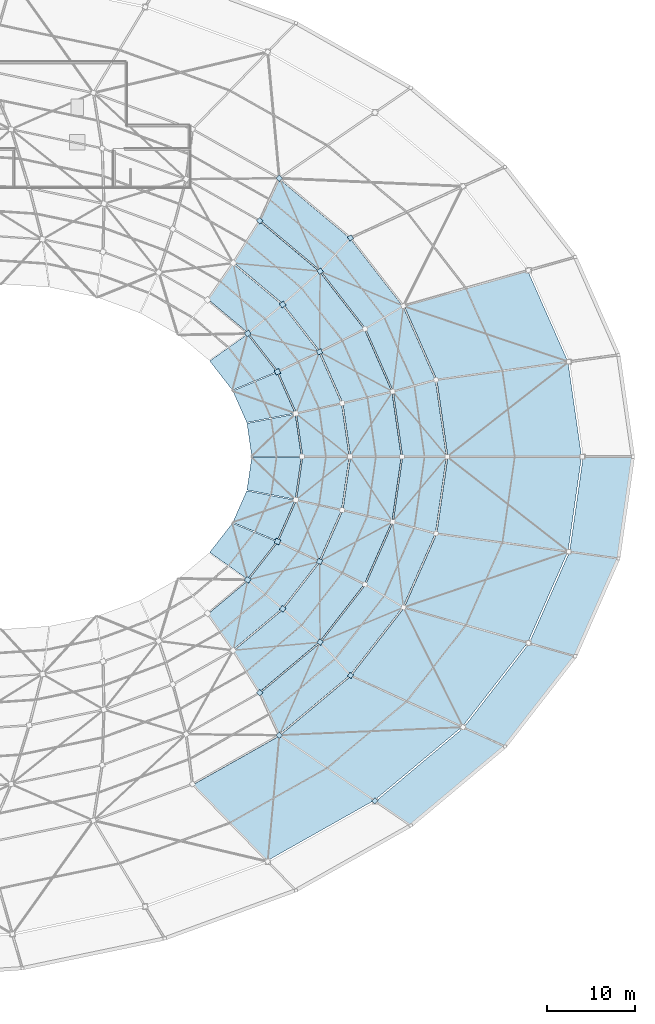
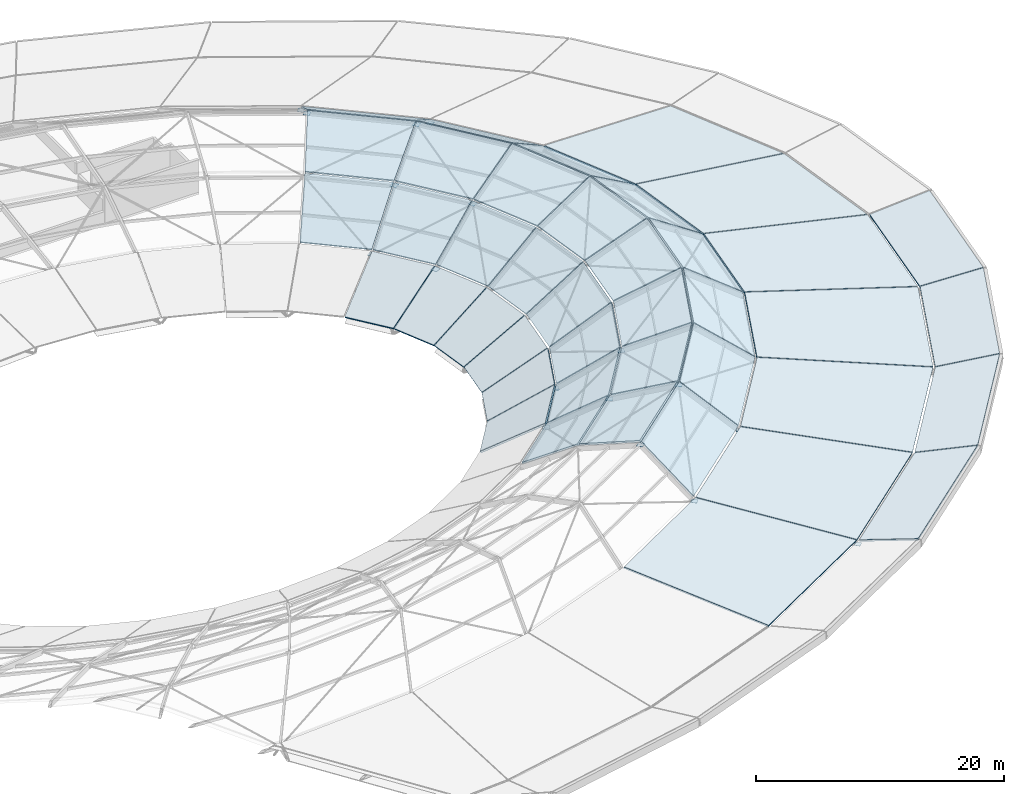
# One storey, part 16 of 30: 41 slabs, 17 plates.
"""IFC4 building model written with IfcOpenShell, lengths in metres."""

from ifc_helpers import new_model, si_unit, direction, frame, origin, origin_2d, place, context, subcontext, project, spatial, polyline, rectangle, outline, extrude, material, layer, layer_set, type_object, element, save


model = new_model("IFC4")

# Units and contexts
model_context = context("Model", 3, precision=1e-05, world=origin(), true_north=direction((0.0, 1.0)))
body_context = subcontext(model_context, "Body", "Model", "MODEL_VIEW")
ifc_project = project(units=[si_unit("LENGTHUNIT", "METRE"), si_unit("AREAUNIT", "SQUARE_METRE"), si_unit("VOLUMEUNIT", "CUBIC_METRE"), si_unit("PLANEANGLEUNIT", "RADIAN"), si_unit("MASSUNIT", "GRAM", prefix="KILO")], contexts=[model_context])

# Site, building, storey
site_placement = place(None, origin())
site = spatial("IfcSite", under=ifc_project, at=site_placement, CompositionType="ELEMENT")
building_placement = place(site_placement, origin())
building = spatial("IfcBuilding", under=site, at=building_placement, Name="Namkhue Oval Health Centre", CompositionType="ELEMENT")
storey_placement = place(building_placement, frame((0.0, 0.0, 26.39990234375)))
storey = spatial("IfcBuildingStorey", under=building, at=storey_placement, Name="RF", CompositionType="ELEMENT", Elevation=26.39990234375)

# Plates
ifc_material_1 = material(Name="Structural steel EN 10025-2 S355JR (TCVN 5575:2024)", Category="steel")
ifc_layer_1 = layer(ifc_material_1, 0.02001953125)
ifc_layer_set_1 = layer_set([ifc_layer_1], Name="Structural steel EN 10025-2 S355JR (TCVN 5575:2024)")
plate_type_1 = type_object("IfcPlateType", Name="GRIDSHELL GUSSET PLATE 500X500X20", PredefinedType="USERDEFINED", material=ifc_layer_set_1)
plate_placement = place(storey_placement, frame((143.421142578125, 20.197998046875, 0.31005859375), z_axis=(0.0, 0.0, 1.0), x_axis=(0.707106781187, -0.707106781187, 0.0)))
element("IfcPlate", 1, at=plate_placement, inside=storey, type_object=plate_type_1, Name="Gridshell Node Gusset Plate K1-29", ObjectType="GUSSET_PLATE", PredefinedType="USERDEFINED", context=body_context, shape_type="SweptSolid", body=[
    extrude(rectangle(XDim=0.5, YDim=0.5, at=origin_2d()), origin(), (0.0, 0.0, 1.0), 0.02001953125),
])
ifc_layer_2 = layer(ifc_material_1, 0.02197265625)
ifc_layer_set_2 = layer_set([ifc_layer_2], Name="Structural steel EN 10025-2 S355JR (TCVN 5575:2024)")
plate_type_2 = type_object("IfcPlateType", Name="GRIDSHELL GUSSET PLATE 520X520X22", PredefinedType="USERDEFINED", material=ifc_layer_set_2)
for number, where, z_axis, x_axis, name in (
    (2, (140.638427734375, 84.315673828125, 3.80908203125), (0.0, 0.0, 1.0), (0.831469612303, 0.55557023302, 0.0), "Gridshell Node Gusset Plate K2-4"),
    (3, (132.52587890625, 91.111572265625, 3.80908203125), (0.0, 0.0, 1.0), (0.707106781187, 0.707106781187, 0.0), "Gridshell Node Gusset Plate K2-5"),
    (4, (132.52587890625, 27.6884765625, 3.80908203125), (0.0, 0.0, 1.0), (0.707106781187, -0.707106781187, 0.0), "Gridshell Node Gusset Plate K2-29"),
    (5, (140.638427734375, 34.484375, 3.80908203125), (0.0, 0.0, 1.0), (0.831469612303, -0.55557023302, 0.0), "Gridshell Node Gusset Plate K2-30"),
):
    element("IfcPlate", number, at=place(storey_placement, frame(where, z_axis=z_axis, x_axis=x_axis)), inside=storey, type_object=plate_type_2, Name=name, ObjectType="GUSSET_PLATE", PredefinedType="USERDEFINED", context=body_context, shape_type="SweptSolid", body=[
        extrude(rectangle(XDim=0.52001953125, YDim=0.52001953125, at=origin_2d()), origin(), (0.0, 0.0, 1.0), 0.02197265625),
    ])
ifc_layer_3 = layer(ifc_material_1, 0.02197265625)
ifc_layer_set_3 = layer_set([ifc_layer_3], Name="Structural steel EN 10025-2 S355JR (TCVN 5575:2024)")
plate_type_3 = type_object("IfcPlateType", Name="GRIDSHELL GUSSET PLATE 540X540X22", PredefinedType="USERDEFINED", material=ifc_layer_set_3)
for number, where, z_axis, x_axis, name in (
    (6, (137.177001953125, 80.5205078125, 7.209228515625), (0.0, 0.0, 1.0), (0.831469612303, 0.55557023302, 0.0), "Gridshell Node Gusset Plate K3-4"),
    (7, (130.30029296875, 86.28125, 7.209228515625), (0.0, 0.0, 1.0), (0.707106781187, 0.707106781187, 0.0), "Gridshell Node Gusset Plate K3-5"),
    (8, (130.30029296875, 32.5185546875, 7.209228515625), (0.0, 0.0, 1.0), (0.707106781187, -0.707106781187, 0.0), "Gridshell Node Gusset Plate K3-29"),
    (9, (137.177001953125, 38.279541015625, 7.209228515625), (0.0, 0.0, 1.0), (0.831469612303, -0.55557023302, 0.0), "Gridshell Node Gusset Plate K3-30"),
):
    element("IfcPlate", number, at=place(storey_placement, frame(where, z_axis=z_axis, x_axis=x_axis)), inside=storey, type_object=plate_type_3, Name=name, ObjectType="GUSSET_PLATE", PredefinedType="USERDEFINED", context=body_context, shape_type="SweptSolid", body=[
        extrude(rectangle(XDim=0.5400390625, YDim=0.5400390625, at=origin_2d()), origin(), (0.0, 0.0, 1.0), 0.02197265625),
    ])
ifc_layer_4 = layer(ifc_material_1, 0.02392578125)
ifc_layer_set_4 = layer_set([ifc_layer_4], Name="Structural steel EN 10025-2 S355JR (TCVN 5575:2024)")
plate_type_4 = type_object("IfcPlateType", Name="GRIDSHELL GUSSET PLATE 560X560X24", PredefinedType="USERDEFINED", material=ifc_layer_set_4)
for number, where, z_axis, x_axis, name in (
    (10, (137.107177734375, 71.333984375, 5.008056640625), (0.0, 0.0, 1.0), (0.923879532511, 0.382683432365, 0.0), "Gridshell Node Gusset Plate K4-3"),
    (11, (132.91552734375, 76.725341796875, 5.008056640625), (0.0, 0.0, 1.0), (0.831469612303, 0.55557023302, 0.0), "Gridshell Node Gusset Plate K4-4"),
    (12, (132.91552734375, 42.074462890625, 5.008056640625), (0.0, 0.0, 1.0), (0.831469612303, -0.55557023302, 0.0), "Gridshell Node Gusset Plate K4-30"),
    (13, (137.107177734375, 47.466064453125, 5.008056640625), (0.0, 0.0, 1.0), (0.923879532511, -0.382683432365, 0.0), "Gridshell Node Gusset Plate K4-31"),
):
    element("IfcPlate", number, at=place(storey_placement, frame(where, z_axis=z_axis, x_axis=x_axis)), inside=storey, type_object=plate_type_4, Name=name, ObjectType="GUSSET_PLATE", PredefinedType="USERDEFINED", context=body_context, shape_type="SweptSolid", body=[
        extrude(rectangle(XDim=0.56005859375, YDim=0.56005859375, at=origin_2d()), origin(), (0.0, 0.0, 1.0), 0.02392578125),
    ])
ifc_layer_5 = layer(ifc_material_1, 0.02392578125)
ifc_layer_set_5 = layer_set([ifc_layer_5], Name="Structural steel EN 10025-2 S355JR (TCVN 5575:2024)")
plate_type_5 = type_object("IfcPlateType", Name="GRIDSHELL GUSSET PLATE 580X580X24", PredefinedType="USERDEFINED", material=ifc_layer_set_5)
for number, where, z_axis, x_axis, name in (
    (14, (132.324951171875, 69.060791015625, 1.608154296875), (0.0, 0.0, 1.0), (0.923879532511, 0.382683432365, 0.0), "Gridshell Node Gusset Plate K5-3"),
    (15, (128.931640625, 73.42529296875, 1.608154296875), (0.0, 0.0, 1.0), (0.831469612303, 0.55557023302, 0.0), "Gridshell Node Gusset Plate K5-4"),
    (16, (128.931640625, 45.37451171875, 1.608154296875), (0.0, 0.0, 1.0), (0.831469612303, -0.55557023302, 0.0), "Gridshell Node Gusset Plate K5-30"),
    (17, (132.324951171875, 49.7392578125, 1.608154296875), (0.0, 0.0, 1.0), (0.923879532511, -0.382683432365, 0.0), "Gridshell Node Gusset Plate K5-31"),
):
    element("IfcPlate", number, at=place(storey_placement, frame(where, z_axis=z_axis, x_axis=x_axis)), inside=storey, type_object=plate_type_5, Name=name, ObjectType="GUSSET_PLATE", PredefinedType="USERDEFINED", context=body_context, shape_type="SweptSolid", body=[
        extrude(rectangle(XDim=0.580078125, YDim=0.580078125, at=origin_2d()), origin(), (0.0, 0.0, 1.0), 0.02392578125),
    ])

# Slabs
ifc_material_2 = material(Name="Reinforced concrete C30/37 (TCVN B35)", Category="concrete")
ifc_layer_6 = layer(ifc_material_2, 0.159912109375)
ifc_layer_set_6 = layer_set([ifc_layer_6], Name="Reinforced concrete C30/37 (TCVN B35)")
slab_type_1 = type_object("IfcSlabType", Name="GRIDSHELL ROOF PANEL 160", PredefinedType="ROOF", material=ifc_layer_set_6)
slab_1_placement = place(storey_placement, frame((147.45068359375, 17.478515625, 1.094482421875), z_axis=(-0.053727584536, 0.064136801334, 0.996493761834), x_axis=(0.766569996232, 0.642160759371, -1.83417e-07)))
element("IfcSlab", 18, at=slab_1_placement, inside=storey, type_object=slab_type_1, Name="Gridshell Planar Roof Panel K0-29", PredefinedType="ROOF", context=body_context, shape_type="SweptSolid", body=[
    extrude(outline(polyline([(0.0, 0.0), (13.909490126418305, 0.0), (11.736030655093856, 4.598743111885195), (-1.2740097579375822, 4.598802125405321), (0.0, 0.0)])), origin(), (0.0, 0.0, -1.0), 0.159912109375),
])
slab_2_placement = place(storey_placement, frame((158.181640625, 26.4716796875, 1.09521484375), z_axis=(-0.061389289614, 0.047728135285, 0.996972106041), x_axis=(0.613788661898, 0.789470378497, 1.01205e-07)))
element("IfcSlab", 19, at=slab_2_placement, inside=storey, type_object=slab_type_1, Name="Gridshell Planar Roof Panel K0-30", PredefinedType="ROOF", context=body_context, shape_type="SweptSolid", body=[
    extrude(outline(polyline([(0.0, 0.0), (12.904530024973468, 8.881784197001252e-16), (10.906942843347332, 4.966968917886898), (-1.1607419206768137, 4.96693641644914), (0.0, 0.0)])), origin(), (0.0, 0.0, -1.0), 0.159912109375),
])
slab_3_placement = place(storey_placement, frame((166.153076171875, 36.732177734375, 1.095458984375), z_axis=(-0.06656783223, 0.029372497415, 0.997349477419), x_axis=(0.403689962772, 0.914895848694, -1.0263e-08)))
element("IfcSlab", 20, at=slab_3_placement, inside=storey, type_object=slab_type_1, Name="Gridshell Planar Roof Panel K0-31", PredefinedType="ROOF", context=body_context, shape_type="SweptSolid", body=[
    extrude(outline(polyline([(0.0, 0.0), (12.08033253826632, -8.881784197001252e-16), (10.557918614069292, 5.314988426675023), (-0.7368068343055807, 5.31499172370869), (0.0, 0.0)])), origin(), (0.0, 0.0, -1.0), 0.159912109375),
])
slab_4_placement = place(storey_placement, frame((171.056884765625, 47.865478515625, 1.095703125), z_axis=(-0.069239238539, 0.00991966386, 0.997550764681), x_axis=(0.141818789155, 0.989892636119, 2.282e-08)))
element("IfcSlab", 21, at=slab_4_placement, inside=storey, type_object=slab_type_1, Name="Gridshell Planar Roof Panel K0-32", PredefinedType="ROOF", context=body_context, shape_type="SweptSolid", body=[
    extrude(outline(polyline([(0.0, 0.0), (11.609775872580734, -2.220446049250313e-16), (10.818623683033444, 5.535786632427481), (-0.03546627999952545, 5.535779303660593), (0.0, 0.0)])), origin(), (0.0, 0.0, -1.0), 0.159912109375),
])
ifc_layer_7 = layer(ifc_material_2, 0.1650390625)
ifc_layer_set_7 = layer_set([ifc_layer_7], Name="Reinforced concrete C30/37 (TCVN B35)")
slab_type_2 = type_object("IfcSlabType", Name="GRIDSHELL ROOF PANEL 165", PredefinedType="ROOF", material=ifc_layer_set_7)
slab_5_placement = place(storey_placement, frame((166.9453125, 59.44189453125, 0.727294921875), z_axis=(0.221398563448, 0.031715542749, 0.974667533291), x_axis=(-0.141797236863, 0.989895723607, -1.41135e-06)))
element("IfcSlab", 22, at=slab_5_placement, inside=storey, type_object=slab_type_2, Name="Gridshell Planar Roof Panel K1-1", PredefinedType="ROOF", context=body_context, shape_type="SweptSolid", body=[
    extrude(outline(polyline([(0.0, 0.0), (10.829886655075333, 0.0), (10.925997497913544, 15.468804567254889), (2.159668120471067, 15.46868090951535), (0.0, 0.0)])), origin(), (0.0, 0.0, -1.0), 0.1650390625),
])
slab_6_placement = place(storey_placement, frame((165.382568359375, 70.243408203125, 0.72802734375), z_axis=(0.212457384009, 0.093742156663, 0.972663491679), x_axis=(-0.403676652031, 0.914901721829, -7.96846e-07)))
element("IfcSlab", 23, at=slab_6_placement, inside=storey, type_object=slab_type_2, Name="Gridshell Planar Roof Panel K1-2", PredefinedType="ROOF", context=body_context, shape_type="SweptSolid", body=[
    extrude(outline(polyline([(0.0, 0.0), (11.268499338380739, -8.881784197001252e-16), (13.281762684202889, 14.892236881618764), (4.159231218954293, 14.892166911027449), (0.0, 0.0)])), origin(), (0.0, 0.0, -1.0), 0.1650390625),
])
slab_7_placement = place(storey_placement, frame((131.1767578125, 13.388671875, 0.732421875), z_axis=(0.138902518035, -0.246184750293, 0.95921799358), x_axis=(0.870933695301, 0.491400547811, 4.56453e-07)))
element("IfcSlab", 24, at=slab_7_placement, inside=storey, type_object=slab_type_2, Name="Gridshell Planar Roof Panel K1-28", PredefinedType="ROOF", context=body_context, shape_type="SweptSolid", body=[
    extrude(outline(polyline([(0.0, 0.0), (13.921561245105195, 0.0), (8.197705912905501, 12.202381320271192), (-3.0818098752973944, 12.20242201510761), (0.0, 0.0)])), origin(), (0.0, 0.0, -1.0), 0.1650390625),
])
slab_8_placement = place(storey_placement, frame((143.380126953125, 20.27685546875, 0.73095703125), z_axis=(0.170139926356, -0.203098753387, 0.964263087457), x_axis=(0.766566887525, 0.642164470326, -8.61173e-07)))
element("IfcSlab", 25, at=slab_8_placement, inside=storey, type_object=slab_type_2, Name="Gridshell Planar Roof Panel K1-29", PredefinedType="ROOF", context=body_context, shape_type="SweptSolid", body=[
    extrude(outline(polyline([(0.0, 0.0), (12.976062069125721, 8.881784197001252e-16), (7.016702637466144, 13.030545350406904), (-3.493391129744873, 13.030469011837035), (0.0, 0.0)])), origin(), (0.0, 0.0, -1.0), 0.1650390625),
])
slab_9_placement = place(storey_placement, frame((153.394775390625, 28.670654296875, 0.729248046875), z_axis=(0.195063290882, -0.151654668639, 0.968994929827), x_axis=(0.613791429974, 0.789468226395, -1.686253e-06)))
element("IfcSlab", 26, at=slab_9_placement, inside=storey, type_object=slab_type_2, Name="Gridshell Planar Roof Panel K1-30", PredefinedType="ROOF", context=body_context, shape_type="SweptSolid", body=[
    extrude(outline(polyline([(0.0, 0.0), (12.03775000424654, 8.881784197001252e-16), (6.57119745991333, 13.985628171747823), (-3.17645897249557, 13.985479492677714), (0.0, 0.0)])), origin(), (0.0, 0.0, -1.0), 0.1650390625),
])
slab_10_placement = place(storey_placement, frame((160.833740234375, 38.2470703125, 0.72802734375), z_axis=(0.212457384009, -0.093742156663, 0.972663491679), x_axis=(0.403676652031, 0.914901721829, 7.96846e-07)))
element("IfcSlab", 27, at=slab_10_placement, inside=storey, type_object=slab_type_2, Name="Gridshell Planar Roof Panel K1-31", PredefinedType="ROOF", context=body_context, shape_type="SweptSolid", body=[
    extrude(outline(polyline([(0.0, 0.0), (11.268499338380739, 8.881784197001252e-16), (7.109268119426446, 14.892166911027449), (-2.013263345822149, 14.892236881618764), (0.0, 0.0)])), origin(), (0.0, 0.0, -1.0), 0.1650390625),
])
slab_11_placement = place(storey_placement, frame((165.40966796875, 48.6376953125, 0.727294921875), z_axis=(0.221398506983, -0.031716333008, 0.974667520402), x_axis=(0.141800417871, 0.98989526794, 1.484768e-06)))
element("IfcSlab", 28, at=slab_11_placement, inside=storey, type_object=slab_type_2, Name="Gridshell Planar Roof Panel K1-32", PredefinedType="ROOF", context=body_context, shape_type="SweptSolid", body=[
    extrude(outline(polyline([(0.0, 0.0), (10.829644981357593, 0.0), (8.669928665862736, 15.468674180664049), (-0.09615903828272222, 15.46880426773081), (0.0, 0.0)])), origin(), (0.0, 0.0, -1.0), 0.1650390625),
])
ifc_layer_8 = layer(ifc_material_2, 0.169921875)
ifc_layer_set_8 = layer_set([ifc_layer_8], Name="Reinforced concrete C30/37 (TCVN B35)")
slab_type_3 = type_object("IfcSlabType", Name="GRIDSHELL ROOF PANEL 170", PredefinedType="ROOF", material=ifc_layer_set_8)
slab_12_placement = place(storey_placement, frame((151.550537109375, 59.44189453125, 4.26220703125), z_axis=(0.550264002747, 0.078840664151, 0.831260294346), x_axis=(-0.141828690048, 0.989891217599, -5.51382e-07)))
element("IfcSlab", 29, at=slab_12_placement, inside=storey, type_object=slab_type_3, Name="Gridshell Planar Roof Panel K2-1", PredefinedType="ROOF", context=body_context, shape_type="SweptSolid", body=[
    extrude(outline(polyline([(0.0, 0.0), (8.734288660484037, 0.0), (8.134620470626112, 5.936153769276453), (0.7069948097964079, 5.936137738234251), (0.0, 0.0)])), origin(), (0.0, 0.0, -1.0), 0.169921875),
])
slab_13_placement = place(storey_placement, frame((150.28857421875, 68.168212890625, 4.26220703125), z_axis=(0.51011940583, 0.225089570779, 0.830128229204), x_axis=(-0.403686585873, 0.91489733869, -6.610961e-06)))
element("IfcSlab", 30, at=slab_13_placement, inside=storey, type_object=slab_type_3, Name="Gridshell Planar Roof Panel K2-2", PredefinedType="ROOF", context=body_context, shape_type="SweptSolid", body=[
    extrude(outline(polyline([(0.0, 0.0), (9.090504348652102, -4.440892098500626e-16), (8.485153021168214, 5.918262865949426), (0.7541422513939048, 5.918063418571841), (0.0, 0.0)])), origin(), (0.0, 0.0, -1.0), 0.169921875),
])
slab_14_placement = place(storey_placement, frame((146.575927734375, 76.556884765625, 4.26220703125), z_axis=(0.44020018933, 0.342249191601, 0.830114018772), x_axis=(-0.613795166813, 0.789465321084, -1.348366e-06)))
element("IfcSlab", 31, at=slab_14_placement, inside=storey, type_object=slab_type_3, Name="Gridshell Planar Roof Panel K2-3", PredefinedType="ROOF", context=body_context, shape_type="SweptSolid", body=[
    extrude(outline(polyline([(0.0, 0.0), (9.714402707593724, 0.0), (8.868532502953732, 5.91795915807484), (0.6060077351450563, 5.9179156865099065), (0.0, 0.0)])), origin(), (0.0, 0.0, -1.0), 0.169921875),
])
slab_15_placement = place(storey_placement, frame((140.5556640625, 84.287109375, 4.26171875), z_axis=(0.354676554383, 0.423385789013, 0.833636020954), x_axis=(-0.766565026363, 0.64216669203, -1.930486e-06)))
element("IfcSlab", 32, at=slab_15_placement, inside=storey, type_object=slab_type_3, Name="Gridshell Planar Roof Panel K2-4", PredefinedType="ROOF", context=body_context, shape_type="SweptSolid", body=[
    extrude(outline(polyline([(0.0, 0.0), (10.474395781044441, 8.881784197001252e-16), (9.119410119256441, 5.976306250994497), (0.2101268408089863, 5.976238499851739), (0.0, 0.0)])), origin(), (0.0, 0.0, -1.0), 0.169921875),
])
slab_16_placement = place(storey_placement, frame((132.5263671875, 27.78662109375, 4.26171875), z_axis=(0.354685545192, -0.423388217383, 0.833630962365), x_axis=(0.766563134985, 0.642168949791, -2.514956e-06)))
element("IfcSlab", 33, at=slab_16_placement, inside=storey, type_object=slab_type_3, Name="Gridshell Planar Roof Panel K2-29", PredefinedType="ROOF", context=body_context, shape_type="SweptSolid", body=[
    extrude(outline(polyline([(0.0, 0.0), (10.47439578102486, -8.881784197001252e-16), (10.264268940254645, 5.976238499818781), (1.3548288825344568, 5.976150236962542), (0.0, 0.0)])), origin(), (0.0, 0.0, -1.0), 0.169921875),
])
slab_17_placement = place(storey_placement, frame((140.61328125, 34.57373046875, 4.26220703125), z_axis=(0.4402060185, -0.342241948844, 0.830113913706), x_axis=(0.613782683069, 0.789475026815, 7.71704e-07)))
element("IfcSlab", 34, at=slab_17_placement, inside=storey, type_object=slab_type_3, Name="Gridshell Planar Roof Panel K2-30", PredefinedType="ROOF", context=body_context, shape_type="SweptSolid", body=[
    extrude(outline(polyline([(0.0, 0.0), (9.71459544945074, -4.440892098500626e-16), (9.108663492525837, 5.917923445892169), (0.8459459835283992, 5.917948326308634), (0.0, 0.0)])), origin(), (0.0, 0.0, -1.0), 0.169921875),
])
slab_18_placement = place(storey_placement, frame((146.618896484375, 42.31494140625, 4.26220703125), z_axis=(0.51011940583, -0.225089570779, 0.830128229204), x_axis=(0.403686585873, 0.91489733869, 6.610961e-06)))
element("IfcSlab", 35, at=slab_18_placement, inside=storey, type_object=slab_type_3, Name="Gridshell Planar Roof Panel K2-31", PredefinedType="ROOF", context=body_context, shape_type="SweptSolid", body=[
    extrude(outline(polyline([(0.0, 0.0), (9.090504348652102, 4.440892098500626e-16), (8.336362097258197, 5.918063418571841), (0.6053513274838881, 5.918262865949427), (0.0, 0.0)])), origin(), (0.0, 0.0, -1.0), 0.169921875),
])
slab_19_placement = place(storey_placement, frame((150.311767578125, 50.712158203125, 4.26220703125), z_axis=(0.550264002747, -0.078840664151, 0.831260294346), x_axis=(0.141828690048, 0.989891217599, 5.51382e-07)))
element("IfcSlab", 36, at=slab_19_placement, inside=storey, type_object=slab_type_3, Name="Gridshell Planar Roof Panel K2-32", PredefinedType="ROOF", context=body_context, shape_type="SweptSolid", body=[
    extrude(outline(polyline([(0.0, 0.0), (8.734288660484037, 0.0), (8.027293850687629, 5.936137738234251), (0.5996681898579258, 5.936153769276451), (0.0, 0.0)])), origin(), (0.0, 0.0, -1.0), 0.169921875),
])
ifc_layer_9 = layer(ifc_material_2, 0.175048828125)
ifc_layer_set_9 = layer_set([ifc_layer_9], Name="Reinforced concrete C30/37 (TCVN B35)")
slab_type_4 = type_object("IfcSlabType", Name="GRIDSHELL ROOF PANEL 175", PredefinedType="ROOF", material=ifc_layer_set_9)
slab_20_placement = place(storey_placement, frame((146.40478515625, 59.44189453125, 7.58544921875), z_axis=(-0.347067640302, -0.049716365452, 0.936521401817), x_axis=(-0.141792423518, 0.989896413079, 2.658764e-06)))
element("IfcSlab", 37, at=slab_20_placement, inside=storey, type_object=slab_type_4, Name="Gridshell Planar Roof Panel K3-1", PredefinedType="ROOF", context=body_context, shape_type="SweptSolid", body=[
    extrude(outline(polyline([(0.0, 0.0), (7.38836868552503, 0.0), (6.898255251126283, 6.094334315939857), (0.8175162608143259, 6.0942321764181875), (0.0, 0.0)])), origin(), (0.0, 0.0, -1.0), 0.175048828125),
])
slab_21_placement = place(storey_placement, frame((145.332763671875, 66.836181640625, 7.585205078125), z_axis=(-0.324784716462, -0.143302647842, 0.934868567808), x_axis=(-0.40368231738, 0.914899222116, -2.530787e-06)))
element("IfcSlab", 38, at=slab_21_placement, inside=storey, type_object=slab_type_4, Name="Gridshell Planar Roof Panel K3-2", PredefinedType="ROOF", context=body_context, shape_type="SweptSolid", body=[
    extrude(outline(polyline([(0.0, 0.0), (7.689812389941663, 0.0), (7.397864608443703, 6.017599084296064), (1.067966273113936, 6.017699032191568), (0.0, 0.0)])), origin(), (0.0, 0.0, -1.0), 0.175048828125),
])
slab_22_placement = place(storey_placement, frame((142.184326171875, 73.943359375, 7.584716796875), z_axis=(-0.284555767481, -0.221233065633, 0.93278290393), x_axis=(-0.613800928862, 0.789460841138, -6.166827e-06)))
element("IfcSlab", 39, at=slab_22_placement, inside=storey, type_object=slab_type_4, Name="Gridshell Planar Roof Panel K3-3", PredefinedType="ROOF", context=body_context, shape_type="SweptSolid", body=[
    extrude(outline(polyline([(0.0, 0.0), (8.21832925912734, 0.0), (7.849197281729793, 5.923907507707206), (1.082703076209955, 5.924163886428232), (0.0, 0.0)])), origin(), (0.0, 0.0, -1.0), 0.175048828125),
])
slab_23_placement = place(storey_placement, frame((137.0810546875, 80.491455078125, 7.58447265625), z_axis=(-0.233169623898, -0.278343290035, 0.931749397308), x_axis=(-0.766570353229, 0.642160333211, 1.06168e-07)))
element("IfcSlab", 40, at=slab_23_placement, inside=storey, type_object=slab_type_4, Name="Gridshell Planar Roof Panel K3-4", PredefinedType="ROOF", context=body_context, shape_type="SweptSolid", body=[
    extrude(outline(polyline([(0.0, 0.0), (8.862144535183381, 0.0), (8.102978434741528, 5.87924742840516), (0.8049146162426926, 5.879242703297136), (0.0, 0.0)])), origin(), (0.0, 0.0, -1.0), 0.175048828125),
])
slab_24_placement = place(storey_placement, frame((130.28759765625, 32.61767578125, 7.58447265625), z_axis=(-0.233176295518, 0.278344705834, 0.931747304768), x_axis=(0.766569372708, 0.642161503683, 3.811919e-06)))
element("IfcSlab", 41, at=slab_24_placement, inside=storey, type_object=slab_type_4, Name="Gridshell Planar Roof Panel K3-29", PredefinedType="ROOF", context=body_context, shape_type="SweptSolid", body=[
    extrude(outline(polyline([(0.0, 0.0), (8.862144535109273, 0.0), (8.057229919008066, 5.879242703204799), (0.7590093228671388, 5.879073050900896), (0.0, 0.0)])), origin(), (0.0, 0.0, -1.0), 0.175048828125),
])
slab_25_placement = place(storey_placement, frame((137.139892578125, 38.36865234375, 7.584716796875), z_axis=(-0.284555767481, 0.221233065633, 0.93278290393), x_axis=(0.613800928862, 0.789460841138, 6.166827e-06)))
element("IfcSlab", 42, at=slab_25_placement, inside=storey, type_object=slab_type_4, Name="Gridshell Planar Roof Panel K3-30", PredefinedType="ROOF", context=body_context, shape_type="SweptSolid", body=[
    extrude(outline(polyline([(0.0, 0.0), (8.21832925912734, 0.0), (7.135626182917386, 5.924163886428232), (0.36913197739754827, 5.923907507707206), (0.0, 0.0)])), origin(), (0.0, 0.0, -1.0), 0.175048828125),
])
slab_26_placement = place(storey_placement, frame((142.228515625, 44.92822265625, 7.585205078125), z_axis=(-0.324783099907, 0.143299207045, 0.934869656837), x_axis=(0.403671259167, 0.914904101271, 6.10418e-07)))
element("IfcSlab", 43, at=slab_26_placement, inside=storey, type_object=slab_type_4, Name="Gridshell Planar Roof Panel K3-31", PredefinedType="ROOF", context=body_context, shape_type="SweptSolid", body=[
    extrude(outline(polyline([(0.0, 0.0), (7.690035754572932, -8.881784197001252e-16), (6.622141581267067, 6.017711827395505), (0.2922432451618904, 6.017687719704856), (0.0, 0.0)])), origin(), (0.0, 0.0, -1.0), 0.175048828125),
])
slab_27_placement = place(storey_placement, frame((145.357177734375, 52.044189453125, 7.58544921875), z_axis=(-0.347067850967, 0.049714574983, 0.936521418794), x_axis=(0.14178773028, 0.989897085325, -2.50932e-06)))
element("IfcSlab", 44, at=slab_27_placement, inside=storey, type_object=slab_type_4, Name="Gridshell Planar Roof Panel K3-32", PredefinedType="ROOF", context=body_context, shape_type="SweptSolid", body=[
    extrude(outline(polyline([(0.0, 0.0), (7.388610359572808, -1.1102230246251565e-16), (6.571120838890417, 6.094235763441476), (0.4901401750397438, 6.094332165371389), (0.0, 0.0)])), origin(), (0.0, 0.0, -1.0), 0.175048828125),
])
ifc_layer_10 = layer(ifc_material_2, 0.179931640625)
ifc_layer_set_10 = layer_set([ifc_layer_10], Name="Reinforced concrete C30/37 (TCVN B35)")
slab_type_5 = type_object("IfcSlabType", Name="GRIDSHELL ROOF PANEL 180", PredefinedType="ROOF", material=ifc_layer_set_10)
slab_28_placement = place(storey_placement, frame((140.47705078125, 59.44189453125, 5.3740234375), z_axis=(-0.528485358845, -0.075712120631, 0.845559519062), x_axis=(-0.141804277435, 0.989894715037, 6.556168e-06)))
element("IfcSlab", 45, at=slab_28_placement, inside=storey, type_object=slab_type_5, Name="Gridshell Planar Roof Panel K4-1", PredefinedType="ROOF", context=body_context, shape_type="SweptSolid", body=[
    extrude(outline(polyline([(0.0, 0.0), (6.044969307527049, -1.1102230246251565e-16), (5.657096319622997, 6.188628436141956), (0.7495745826178413, 6.188493937344819), (0.0, 0.0)])), origin(), (0.0, 0.0, -1.0), 0.179931640625),
])
slab_29_placement = place(storey_placement, frame((139.595703125, 65.50634765625, 5.37353515625), z_axis=(-0.494470241398, -0.218180292354, 0.841365877844), x_axis=(-0.403689015996, 0.91489626645, 1.54152e-07)))
element("IfcSlab", 46, at=slab_29_placement, inside=storey, type_object=slab_type_5, Name="Gridshell Planar Roof Panel K4-2", PredefinedType="ROOF", context=body_context, shape_type="SweptSolid", body=[
    extrude(outline(polyline([(0.0, 0.0), (6.292070212169687, 0.0), (6.147312076729383, 6.1109034332158085), (1.0381888529535068, 6.110900181357589), (0.0, 0.0)])), origin(), (0.0, 0.0, -1.0), 0.179931640625),
])
slab_30_placement = place(storey_placement, frame((137.011474609375, 71.334716796875, 5.37255859375), z_axis=(-0.43373691067, -0.337221313731, 0.835556148854), x_axis=(-0.613799733888, 0.789461770229, -5.104444e-06)))
element("IfcSlab", 47, at=slab_30_placement, inside=storey, type_object=slab_type_5, Name="Gridshell Planar Roof Panel K4-3", PredefinedType="ROOF", context=body_context, shape_type="SweptSolid", body=[
    extrude(outline(polyline([(0.0, 0.0), (6.725574775207651, 4.440892098500626e-16), (6.570204152330766, 6.008302584113263), (1.1077128303563089, 6.008415821705752), (0.0, 0.0)])), origin(), (0.0, 0.0, -1.0), 0.179931640625),
])
slab_31_placement = place(storey_placement, frame((132.82421875, 76.7041015625, 5.3720703125), z_axis=(-0.356797553516, -0.425905734697, 0.831444412428), x_axis=(-0.766552195228, 0.642182008433, 6.076428e-06)))
element("IfcSlab", 48, at=slab_31_placement, inside=storey, type_object=slab_type_5, Name="Gridshell Planar Roof Panel K4-4", PredefinedType="ROOF", context=body_context, shape_type="SweptSolid", body=[
    extrude(outline(polyline([(0.0, 0.0), (7.253676505665773, 8.881784197001252e-16), (6.800422582401471, 5.939602155885142), (0.9071742588641617, 5.939458374034268), (0.0, 0.0)])), origin(), (0.0, 0.0, -1.0), 0.179931640625),
])
slab_32_placement = place(storey_placement, frame((127.263916015625, 37.437744140625, 5.3720703125), z_axis=(-0.356786978424, 0.425905427483, 0.831449107804), x_axis=(0.766566471042, 0.642164967492, -7.33695e-07)))
element("IfcSlab", 49, at=slab_32_placement, inside=storey, type_object=slab_type_5, Name="Gridshell Planar Roof Panel K4-29", PredefinedType="ROOF", context=body_context, shape_type="SweptSolid", body=[
    extrude(outline(polyline([(0.0, 0.0), (7.253519724794089, 0.0), (6.346374832823598, 5.939594517039604), (0.45312650732292997, 5.939611877915972), (0.0, 0.0)])), origin(), (0.0, 0.0, -1.0), 0.179931640625),
])
slab_33_placement = place(storey_placement, frame((132.88330078125, 42.15576171875, 5.37255859375), z_axis=(-0.43373691067, 0.337221313731, 0.835556148854), x_axis=(0.613799733888, 0.789461770229, 5.104444e-06)))
element("IfcSlab", 50, at=slab_33_placement, inside=storey, type_object=slab_type_5, Name="Gridshell Planar Roof Panel K4-30", PredefinedType="ROOF", context=body_context, shape_type="SweptSolid", body=[
    extrude(outline(polyline([(0.0, 0.0), (6.725574775207651, -4.440892098500626e-16), (5.6178619448513425, 6.008415821705752), (0.1553706228768839, 6.008302584113262), (0.0, 0.0)])), origin(), (0.0, 0.0, -1.0), 0.179931640625),
])
slab_34_placement = place(storey_placement, frame((137.0556640625, 47.536865234375, 5.37353515625), z_axis=(-0.494468509702, 0.218174421778, 0.841368417874), x_axis=(0.403676561554, 0.914901761743, -3.34581e-06)))
element("IfcSlab", 51, at=slab_34_placement, inside=storey, type_object=slab_type_5, Name="Gridshell Planar Roof Panel K4-31", PredefinedType="ROOF", context=body_context, shape_type="SweptSolid", body=[
    extrude(outline(polyline([(0.0, 0.0), (6.292293576247956, -2.220446049250313e-16), (5.254185255413922, 6.110913862467994), (0.14506203218569685, 6.110984444627364), (0.0, 0.0)])), origin(), (0.0, 0.0, -1.0), 0.179931640625),
])
slab_35_placement = place(storey_placement, frame((139.619873046875, 53.3740234375, 5.3740234375), z_axis=(-0.528484306885, 0.075710265045, 0.845560342698), x_axis=(0.141799332451, 0.989895423394, -7.714347e-06)))
element("IfcSlab", 52, at=slab_35_placement, inside=storey, type_object=slab_type_5, Name="Gridshell Planar Roof Panel K4-32", PredefinedType="ROOF", context=body_context, shape_type="SweptSolid", body=[
    extrude(outline(polyline([(0.0, 0.0), (6.045210981214025, 1.1102230246251565e-16), (5.295666365010684, 6.1884975668522255), (0.38814462880043604, 6.1886558293790195), (0.0, 0.0)])), origin(), (0.0, 0.0, -1.0), 0.179931640625),
])
ifc_layer_11 = layer(ifc_material_2, 0.18505859375)
ifc_layer_set_11 = layer_set([ifc_layer_11], Name="Reinforced concrete C30/37 (TCVN B35)")
slab_type_6 = type_object("IfcSlabType", Name="GRIDSHELL ROOF PANEL 185", PredefinedType="ROOF", material=ifc_layer_set_11)
slab_36_placement = place(storey_placement, frame((135.03466796875, 59.44189453125, 1.9833984375), z_axis=(-0.481428468157, -0.0689848428, 0.873766399853), x_axis=(-0.141852948504, 0.9898877416, -5.490549e-06)))
element("IfcSlab", 53, at=slab_36_placement, inside=storey, type_object=slab_type_6, Name="Gridshell Planar Roof Panel K5-1", PredefinedType="ROOF", context=body_context, shape_type="SweptSolid", body=[
    extrude(outline(polyline([(0.0, 0.0), (4.87572269697473, 1.1102230246251565e-16), (4.595335059077172, 6.399815369236707), (0.8013684996190448, 6.399913244768177), (0.0, 0.0)])), origin(), (0.0, 0.0, -1.0), 0.18505859375),
])
slab_37_placement = place(storey_placement, frame((134.318359375, 64.348876953125, 1.982421875), z_axis=(-0.453072967104, -0.199914679498, 0.868768673124), x_axis=(-0.403677481887, 0.914901355642, 7.892566e-06)))
element("IfcSlab", 54, at=slab_37_placement, inside=storey, type_object=slab_type_6, Name="Gridshell Planar Roof Panel K5-2", PredefinedType="ROOF", context=body_context, shape_type="SweptSolid", body=[
    extrude(outline(polyline([(0.0, 0.0), (5.075460256909531, 2.220446049250313e-16), (5.188781112479304, 6.281839520483339), (1.2380146184745169, 6.281695664497476), (0.0, 0.0)])), origin(), (0.0, 0.0, -1.0), 0.18505859375),
])
slab_38_placement = place(storey_placement, frame((132.22412109375, 69.06396484375, 1.9814453125), z_axis=(-0.40153914998, -0.312168125379, 0.860997893453), x_axis=(-0.613769184761, 0.78948552098, -1.64501e-07)))
element("IfcSlab", 55, at=slab_38_placement, inside=storey, type_object=slab_type_6, Name="Gridshell Planar Roof Panel K5-3", PredefinedType="ROOF", context=body_context, shape_type="SweptSolid", body=[
    extrude(outline(polyline([(0.0, 0.0), (5.425618932065975, -4.440892098500626e-16), (5.659350915369045, 6.112051843000353), (1.434205174722711, 6.1120549643818025), (0.0, 0.0)])), origin(), (0.0, 0.0, -1.0), 0.18505859375),
])
slab_39_placement = place(storey_placement, frame((128.89404296875, 45.45263671875, 1.9814453125), z_axis=(-0.40153914998, 0.312168125379, 0.860997893453), x_axis=(0.613769184761, 0.78948552098, 1.64501e-07)))
element("IfcSlab", 56, at=slab_39_placement, inside=storey, type_object=slab_type_6, Name="Gridshell Planar Roof Panel K5-30", PredefinedType="ROOF", context=body_context, shape_type="SweptSolid", body=[
    extrude(outline(polyline([(0.0, 0.0), (5.425618932065975, 4.440892098500626e-16), (3.9914137573432633, 6.1120549643818025), (-0.23373198330307035, 6.112051843000353), (0.0, 0.0)])), origin(), (0.0, 0.0, -1.0), 0.18505859375),
])
slab_40_placement = place(storey_placement, frame((132.26953125, 49.8076171875, 1.982421875), z_axis=(-0.453074334425, 0.199921193274, 0.868766461119), x_axis=(0.403679931935, 0.914900274563, -1.2590421e-05)))
element("IfcSlab", 57, at=slab_40_placement, inside=storey, type_object=slab_type_6, Name="Gridshell Planar Roof Panel K5-31", PredefinedType="ROOF", context=body_context, shape_type="SweptSolid", body=[
    extrude(outline(polyline([(0.0, 0.0), (5.075460256585987, 0.0), (3.8372222736474417, 6.281610044990556), (-0.11332085622408511, 6.281839520210125), (0.0, 0.0)])), origin(), (0.0, 0.0, -1.0), 0.18505859375),
])
slab_41_placement = place(storey_placement, frame((134.343017578125, 54.53173828125, 1.9833984375), z_axis=(-0.481429813384, 0.068983073138, 0.873765798372), x_axis=(0.141852013274, 0.989887875609, 7.187918e-06)))
element("IfcSlab", 58, at=slab_41_placement, inside=storey, type_object=slab_type_6, Name="Gridshell Planar Roof Panel K5-32", PredefinedType="ROOF", context=body_context, shape_type="SweptSolid", body=[
    extrude(outline(polyline([(0.0, 0.0), (4.875722696906013, 0.0), (4.074354197413107, 6.399913244731621), (0.28014596605798997, 6.399785108306072), (0.0, 0.0)])), origin(), (0.0, 0.0, -1.0), 0.18505859375),
])

save(model, "model.ifc")
